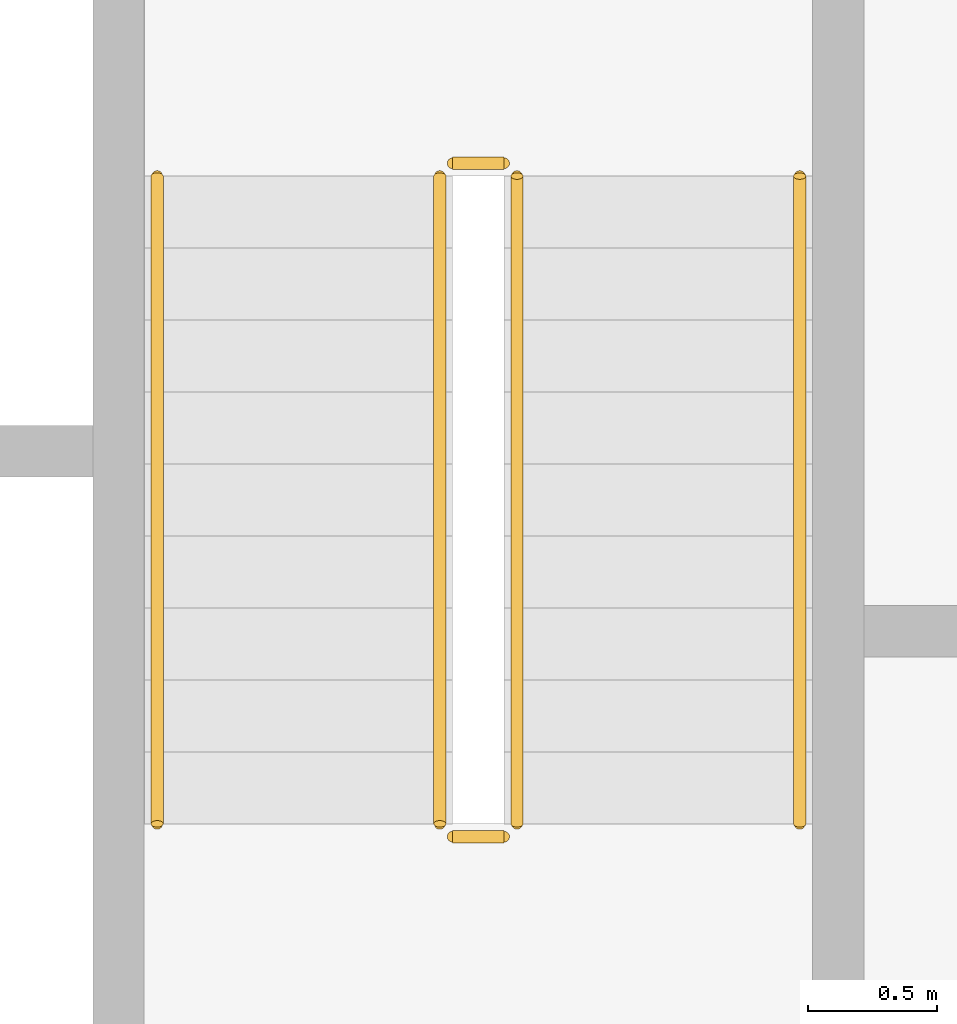
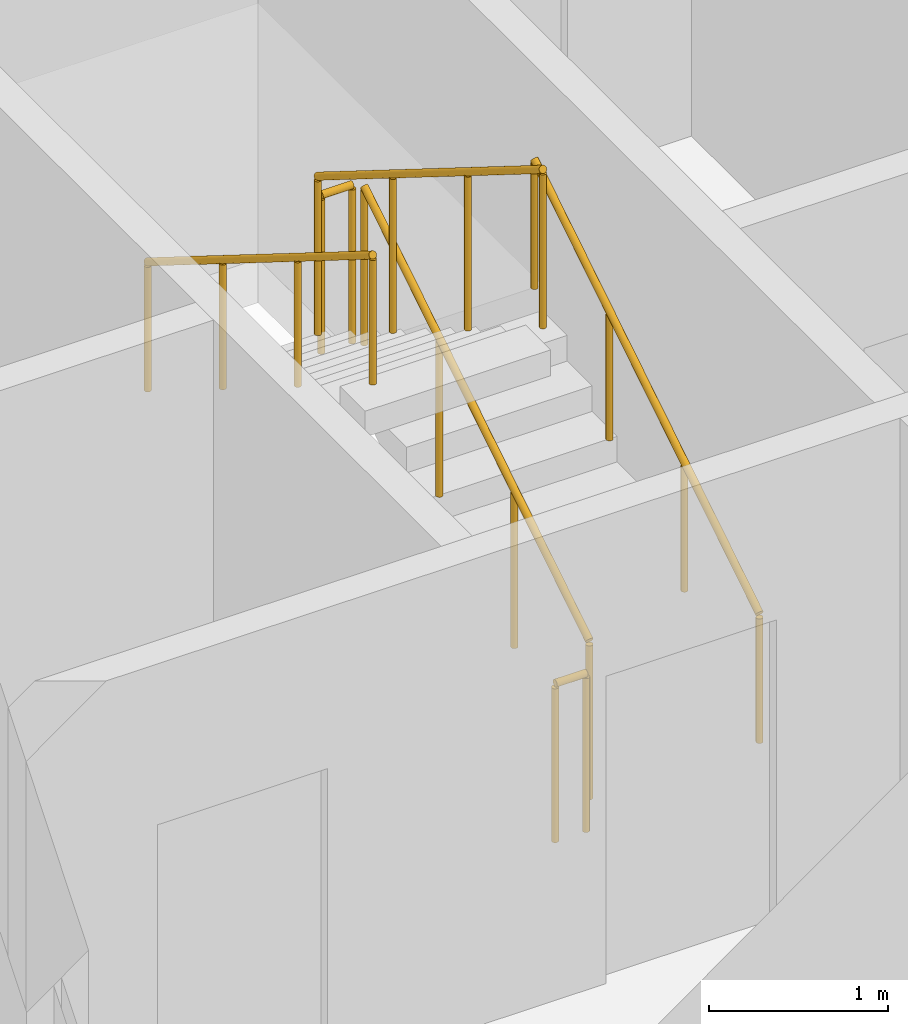
# One storey, part 15 of 19: 6 railings.
"""IFC4 building model written with IfcOpenShell, lengths in metres."""

from ifc_helpers import new_model, si_unit, direction, frame, origin, origin_2d, place, context, subcontext, project, spatial, circle, extrude, material, type_object, element, save


model = new_model("IFC4")

# Units and contexts
model_context = context("Model", 3, precision=1e-05, world=origin(), true_north=direction((0.0, 1.0)))
body_context = subcontext(model_context, "Body", "Model", "MODEL_VIEW")
ifc_project = project(units=[si_unit("LENGTHUNIT", "METRE"), si_unit("AREAUNIT", "SQUARE_METRE"), si_unit("VOLUMEUNIT", "CUBIC_METRE"), si_unit("PLANEANGLEUNIT", "RADIAN"), si_unit("MASSUNIT", "GRAM", prefix="KILO")], contexts=[model_context])

# Site, building, storey
site_placement = place(None, origin())
site = spatial("IfcSite", under=ifc_project, at=site_placement, CompositionType="ELEMENT")
building_placement = place(site_placement, origin())
building = spatial("IfcBuilding", under=site, at=building_placement, Name="Kiln Ring Residences", CompositionType="ELEMENT")
storey_placement = place(building_placement, frame((0.0, 0.0, 83.300048828125)))
storey = spatial("IfcBuildingStorey", under=building, at=storey_placement, Name="L20", CompositionType="ELEMENT", Elevation=83.300048828125)

# Railings
ifc_material_1 = material(Name="Stainless steel", Category="steel")
railing_type_1 = type_object("IfcRailingType", Name="CORE-STAIR-GUARD", PredefinedType="GUARDRAIL", material=ifc_material_1)
railing_1_placement = place(storey_placement, frame((22.25, -8.39990234375, 0.175048828125)))
element("IfcRailing", 1, at=railing_1_placement, inside=storey, type_object=railing_type_1, Name="L20 E-STS stair guard 1", PredefinedType="GUARDRAIL", context=body_context, shape_type="SweptSolid", body=[
    extrude(circle(Radius=0.02392578125, at=origin_2d()), frame((0.0, 0.0, 1.076171875), z_axis=(0.0, 0.848007534815, 0.529984170421), x_axis=(-1.0, 0.0, 0.0)), (0.0, 0.0, 1.0), 2.9716796875),
    extrude(circle(Radius=0.02099609375, at=origin_2d()), origin(), (0.0, 0.0, 1.0), 1.052001953125),
    extrude(circle(Radius=0.02099609375, at=origin_2d()), frame((0.0, 0.840087890625, 0.52490234375)), (0.0, 0.0, 1.0), 1.052001953125),
    extrude(circle(Radius=0.02099609375, at=origin_2d()), frame((0.0, 1.679931640625, 1.050048828125)), (0.0, 0.0, 1.0), 1.052001953125),
    extrude(circle(Radius=0.02099609375, at=origin_2d()), frame((0.0, 2.52001953125, 1.574951171875)), (0.0, 0.0, 1.0), 1.052001953125),
])
railing_2_placement = place(storey_placement, frame((22.199951171875, -5.830078125, 1.75)))
element("IfcRailing", 2, at=railing_2_placement, inside=storey, type_object=railing_type_1, Name="L20 E-STS stair guard 2", PredefinedType="GUARDRAIL", context=body_context, shape_type="SweptSolid", body=[
    extrude(circle(Radius=0.02392578125, at=origin_2d()), frame((0.0, 0.0, 1.076171875), z_axis=(-1.0, 0.0, 0.0), x_axis=(0.0, -1.0, 0.0)), (0.0, 0.0, 1.0), 0.199951171875),
    extrude(circle(Radius=0.02099609375, at=origin_2d()), origin(), (0.0, 0.0, 1.0), 1.052001953125),
    extrude(circle(Radius=0.02099609375, at=origin_2d()), frame((-0.199951171875, 0.0, 0.0)), (0.0, 0.0, 1.0), 1.052001953125),
])
railing_3_placement = place(storey_placement, frame((21.949951171875, -5.8798828125, 1.925048828125)))
element("IfcRailing", 3, at=railing_3_placement, inside=storey, type_object=railing_type_1, Name="L20 E-STS stair guard 3", PredefinedType="GUARDRAIL", context=body_context, shape_type="SweptSolid", body=[
    extrude(circle(Radius=0.02392578125, at=origin_2d()), frame((0.0, 0.0, 1.076171875), z_axis=(0.0, -0.848007534815, 0.529984170421), x_axis=(1.0, 0.0, 0.0)), (0.0, 0.0, 1.0), 2.9716796875),
    extrude(circle(Radius=0.02099609375, at=origin_2d()), origin(), (0.0, 0.0, 1.0), 1.052001953125),
    extrude(circle(Radius=0.02099609375, at=origin_2d()), frame((0.0, -0.840087890625, 0.52490234375)), (0.0, 0.0, 1.0), 1.052001953125),
    extrude(circle(Radius=0.02099609375, at=origin_2d()), frame((0.0, -1.679931640625, 1.050048828125)), (0.0, 0.0, 1.0), 1.052001953125),
    extrude(circle(Radius=0.02099609375, at=origin_2d()), frame((0.0, -2.52001953125, 1.574951171875)), (0.0, 0.0, 1.0), 1.052001953125),
])
railing_4_placement = place(storey_placement, frame((22.199951171875, -8.449951171875, 0.0)))
element("IfcRailing", 4, at=railing_4_placement, inside=storey, type_object=railing_type_1, Name="L20 E-STS stair guard 4", PredefinedType="GUARDRAIL", context=body_context, shape_type="SweptSolid", body=[
    extrude(circle(Radius=0.02392578125, at=origin_2d()), frame((0.0, 0.0, 1.076171875), z_axis=(-1.0, 0.0, 0.0), x_axis=(0.0, -1.0, 0.0)), (0.0, 0.0, 1.0), 0.199951171875),
    extrude(circle(Radius=0.02099609375, at=origin_2d()), origin(), (0.0, 0.0, 1.0), 1.052001953125),
    extrude(circle(Radius=0.02099609375, at=origin_2d()), frame((-0.199951171875, 0.0, 0.0)), (0.0, 0.0, 1.0), 1.052001953125),
])
ifc_material_2 = material(Name="Stainless steel", Category="steel")
railing_type_2 = type_object("IfcRailingType", Name="CORE-STAIR-HANDRAIL", PredefinedType="HANDRAIL", material=ifc_material_2)
railing_5_placement = place(storey_placement, frame((23.35009765625, -8.39990234375, 0.175048828125)))
element("IfcRailing", 5, at=railing_5_placement, inside=storey, type_object=railing_type_2, Name="L20 E-STS stair handrail 1", PredefinedType="HANDRAIL", context=body_context, shape_type="SweptSolid", body=[
    extrude(circle(Radius=0.02392578125, at=origin_2d()), frame((0.0, 0.0, 0.8759765625), z_axis=(0.0, 0.848007534815, 0.529984170421), x_axis=(-1.0, 0.0, 0.0)), (0.0, 0.0, 1.0), 2.9716796875),
    extrude(circle(Radius=0.02099609375, at=origin_2d()), origin(), (0.0, 0.0, 1.0), 0.851806640625),
    extrude(circle(Radius=0.02099609375, at=origin_2d()), frame((0.0, 0.840087890625, 0.52490234375)), (0.0, 0.0, 1.0), 0.851806640625),
    extrude(circle(Radius=0.02099609375, at=origin_2d()), frame((0.0, 1.679931640625, 1.050048828125)), (0.0, 0.0, 1.0), 0.851806640625),
    extrude(circle(Radius=0.02099609375, at=origin_2d()), frame((0.0, 2.52001953125, 1.574951171875)), (0.0, 0.0, 1.0), 0.851806640625),
])
railing_6_placement = place(storey_placement, frame((20.85009765625, -5.8798828125, 1.925048828125)))
element("IfcRailing", 6, at=railing_6_placement, inside=storey, type_object=railing_type_2, Name="L20 E-STS stair handrail 2", PredefinedType="HANDRAIL", context=body_context, shape_type="SweptSolid", body=[
    extrude(circle(Radius=0.02392578125, at=origin_2d()), frame((0.0, 0.0, 0.8759765625), z_axis=(0.0, -0.848007534815, 0.529984170421), x_axis=(1.0, 0.0, 0.0)), (0.0, 0.0, 1.0), 2.9716796875),
    extrude(circle(Radius=0.02099609375, at=origin_2d()), origin(), (0.0, 0.0, 1.0), 0.851806640625),
    extrude(circle(Radius=0.02099609375, at=origin_2d()), frame((0.0, -0.840087890625, 0.52490234375)), (0.0, 0.0, 1.0), 0.851806640625),
    extrude(circle(Radius=0.02099609375, at=origin_2d()), frame((0.0, -1.679931640625, 1.050048828125)), (0.0, 0.0, 1.0), 0.851806640625),
    extrude(circle(Radius=0.02099609375, at=origin_2d()), frame((0.0, -2.52001953125, 1.574951171875)), (0.0, 0.0, 1.0), 0.851806640625),
])

save(model, "model.ifc")
